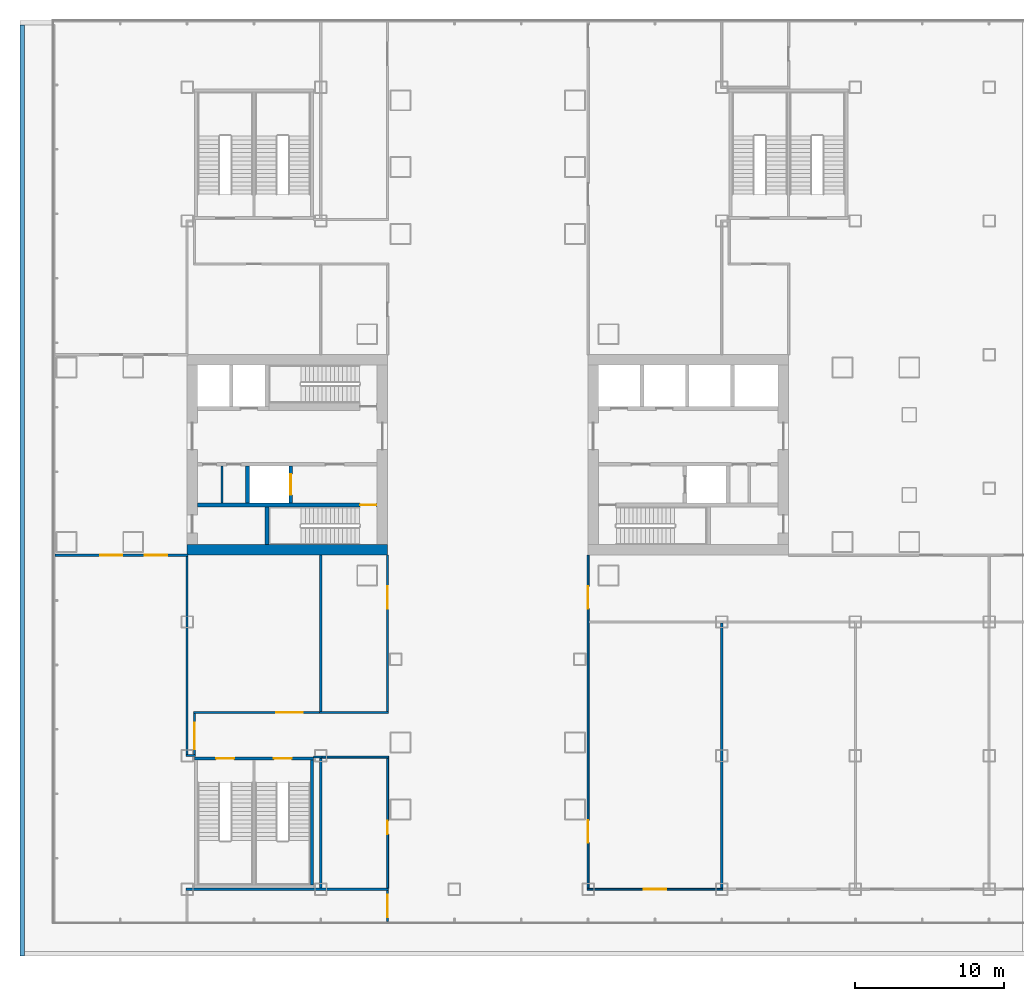
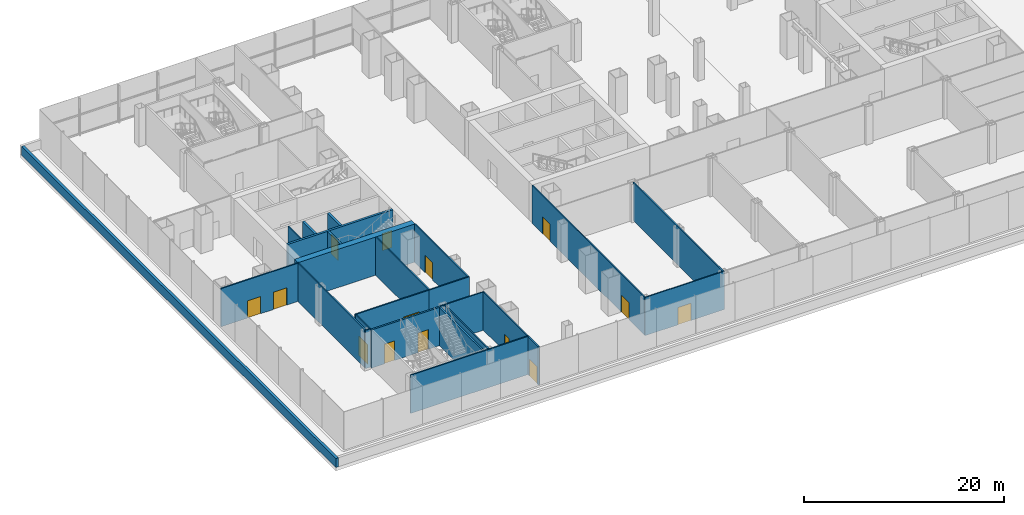
# One storey, part 17 of 30: 26 walls, 14 doors, 14 openings.
"""IFC4 building model written with IfcOpenShell, lengths in metres."""

from ifc_helpers import new_model, si_unit, direction, frame, frame_2d, origin, place, context, subcontext, project, spatial, rectangle, extrude, material, layer, layer_set, type_object, element, fill, save


model = new_model("IFC4")

# Units and contexts
model_context = context("Model", 3, precision=1e-05, world=origin(), true_north=direction((0.0, 1.0)))
body_context = subcontext(model_context, "Body", "Model", "MODEL_VIEW")
ifc_project = project(units=[si_unit("LENGTHUNIT", "METRE"), si_unit("AREAUNIT", "SQUARE_METRE"), si_unit("VOLUMEUNIT", "CUBIC_METRE"), si_unit("PLANEANGLEUNIT", "RADIAN"), si_unit("MASSUNIT", "GRAM", prefix="KILO")], contexts=[model_context])

# Site, building, storey
site_placement = place(None, origin())
site = spatial("IfcSite", under=ifc_project, at=site_placement, CompositionType="ELEMENT")
building_placement = place(site_placement, origin())
building = spatial("IfcBuilding", under=site, at=building_placement, Name="Shamsa Quay Exchange Towers", CompositionType="ELEMENT")
storey_placement = place(building_placement, frame((0.0, 0.0, 23.5)))
storey = spatial("IfcBuildingStorey", under=building, at=storey_placement, Name="L04", CompositionType="ELEMENT", Elevation=23.5)

# Walls
ifc_material_1 = material(Name="Concrete C80/95", Category="concrete")
ifc_layer_1 = layer(ifc_material_1, 0.699951171875)
ifc_layer_set_1 = layer_set([ifc_layer_1], Name="CORE WALL 700 C80/95")
wall_type_1 = type_object("IfcWallType", Name="CORE WALL 700 C80/95", PredefinedType="SHEAR", material=ifc_layer_set_1)
wall_1_placement = place(storey_placement, frame((-40.5, -6.39990234375, 0.0), z_axis=(0.0, 0.0, 1.0), x_axis=(-1.0, 0.0, 0.0)))
element("IfcWall", 1, at=wall_1_placement, inside=storey, type_object=wall_type_1, Name="Core wall T1B-L04-PS", PredefinedType="SHEAR", context=body_context, shape_type="SweptSolid", body=[
    extrude(rectangle(XDim=13.5, YDim=0.699951171875, at=frame_2d((6.75, 0.0))), origin(), (0.0, 0.0, 1.0), 4.64990234375),
])
ifc_material_2 = material(Name="Gypsum board on steel studs, EI 60", Category="steel")
ifc_layer_2 = layer(ifc_material_2, 0.14990234375)
ifc_layer_set_2 = layer_set([ifc_layer_2], Name="FIRE PARTITION 150")
wall_type_2 = type_object("IfcWallType", Name="FIRE PARTITION 150", PredefinedType="PARTITIONING", material=ifc_layer_set_2)
wall_2_placement = place(storey_placement, frame((-51.64990234375, -3.25, 0.0), z_axis=(0.0, 0.0, 1.0), x_axis=(0.0, 1.0, 0.0)))
element("IfcWall", 2, at=wall_2_placement, inside=storey, type_object=wall_type_2, Name="Partition T1B-L04-EC0", PredefinedType="PARTITIONING", context=body_context, shape_type="SweptSolid", body=[
    extrude(rectangle(XDim=2.5, YDim=0.14990234375, at=frame_2d((1.25, 0.0))), origin(), (0.0, 0.0, 1.0), 4.64990234375),
])

# Wall, openings, doors
ifc_material_3 = material(Name="Laminated fire-resisting glass in a metal frame", Category="glass")
ifc_layer_3 = layer(ifc_material_3, 0.125)
ifc_layer_set_3 = layer_set([ifc_layer_3], Name="Glazed partition 125 mm EI 60")
wall_type_3 = type_object("IfcWallType", Name="Glazed partition 125 mm EI 60", PredefinedType="PARTITIONING", material=ifc_layer_set_3)
wall_3_placement = place(storey_placement, frame((-27.0, -29.1875, 0.0), z_axis=(0.0, 0.0, 1.0), x_axis=(0.0, 1.0, 0.0)))
wall_3 = element("IfcWall", 3, at=wall_3_placement, inside=storey, type_object=wall_type_3, Name="Partition PD-L04-W01", PredefinedType="PARTITIONING", context=body_context, shape_type="SweptSolid", body=[
    extrude(rectangle(XDim=22.4375, YDim=0.125, at=frame_2d((11.21875, 0.0))), origin(), (0.0, 0.0, 1.0), 4.64990234375),
])
opening_1_placement = place(wall_3_placement, frame((3.08740234375, 0.0, 0.0)))
opening_1 = element("IfcOpeningElement", 4, at=opening_1_placement, cuts=wall_3, Name="Opening PD-L04-D13", PredefinedType="OPENING", context=body_context, shape_type="SweptSolid", body=[
    extrude(rectangle(XDim=1.5, YDim=2.10009765625, at=frame_2d((0.75, 1.050048828125))), frame((0.0, 0.072509765625, 0.0), z_axis=(0.0, -1.0, 0.0), x_axis=(1.0, 0.0, 0.0)), (0.0, 0.0, 1.0), 0.14501953125),
])
opening_2_placement = place(wall_3_placement, frame((18.83740234375, 0.0, 0.0)))
opening_2 = element("IfcOpeningElement", 5, at=opening_2_placement, cuts=wall_3, Name="Opening PD-L04-D14", PredefinedType="OPENING", context=body_context, shape_type="SweptSolid", body=[
    extrude(rectangle(XDim=1.5, YDim=2.10009765625, at=frame_2d((0.75, 1.050048828125))), frame((0.0, 0.072509765625, 0.0), z_axis=(0.0, -1.0, 0.0), x_axis=(1.0, 0.0, 0.0)), (0.0, 0.0, 1.0), 0.14501953125),
])
ifc_material_4 = material(Name="Timber door leaf in a metal frame", Category="wood")
door_type_1 = type_object("IfcDoorType", Name="Door 1500x2100 FD30S pair", OperationType="NOTDEFINED", PredefinedType="DOOR", material=ifc_material_4)
door_1_placement = place(opening_1_placement, origin())
door_1 = element("IfcDoor", 6, at=door_1_placement, inside=storey, type_object=door_type_1, Name="Door PD-L04-D13", OperationType="DOUBLE_DOOR_SINGLE_SWING", OverallHeight=2.10009765625, OverallWidth=1.5, PredefinedType="DOOR", context=body_context, shape_type="SweptSolid", body=[
    extrude(rectangle(XDim=1.5, YDim=2.10009765625, at=frame_2d((0.75, 1.050048828125))), frame((0.0, 0.02490234375, 0.0), z_axis=(0.0, -1.0, 0.0), x_axis=(1.0, 0.0, 0.0)), (0.0, 0.0, 1.0), 0.050048828125),
])
fill(opening_1, door_1)
door_2_placement = place(opening_2_placement, origin())
door_2 = element("IfcDoor", 7, at=door_2_placement, inside=storey, type_object=door_type_1, Name="Door PD-L04-D14", OperationType="DOUBLE_DOOR_SINGLE_SWING", OverallHeight=2.10009765625, OverallWidth=1.5, PredefinedType="DOOR", context=body_context, shape_type="SweptSolid", body=[
    extrude(rectangle(XDim=1.5, YDim=2.10009765625, at=frame_2d((0.75, 1.050048828125))), frame((0.0, 0.02490234375, 0.0), z_axis=(0.0, -1.0, 0.0), x_axis=(1.0, 0.0, 0.0)), (0.0, 0.0, 1.0), 0.050048828125),
])
fill(opening_2, door_2)

# Wall, opening, door
wall_4_placement = place(storey_placement, frame((-40.5, -29.175048828125, 0.0), z_axis=(0.0, 0.0, 1.0), x_axis=(0.0, 1.0, 0.0)))
wall_4 = element("IfcWall", 8, at=wall_4_placement, inside=storey, type_object=wall_type_3, Name="Partition PD-L04-W06", PredefinedType="PARTITIONING", context=body_context, shape_type="SweptSolid", body=[
    extrude(rectangle(XDim=8.762939453125, YDim=0.125, at=frame_2d((4.38134765625, 0.0))), origin(), (0.0, 0.0, 1.0), 4.64990234375),
])
opening_3_placement = place(wall_4_placement, frame((3.625244140625, 0.0, 0.0)))
opening_3 = element("IfcOpeningElement", 9, at=opening_3_placement, cuts=wall_4, Name="Opening PD-L04-D08", PredefinedType="OPENING", context=body_context, shape_type="SweptSolid", body=[
    extrude(rectangle(XDim=0.89990234375, YDim=2.10009765625, at=frame_2d((0.449951171875, 1.050048828125))), frame((0.0, 0.072509765625, 0.0), z_axis=(0.0, -1.0, 0.0), x_axis=(1.0, 0.0, 0.0)), (0.0, 0.0, 1.0), 0.14501953125),
])
door_type_2 = type_object("IfcDoorType", Name="Door 900x2100 FD30S", OperationType="NOTDEFINED", PredefinedType="DOOR", material=ifc_material_4)
door_3_placement = place(opening_3_placement, origin())
door_3 = element("IfcDoor", 10, at=door_3_placement, inside=storey, type_object=door_type_2, Name="Door PD-L04-D08", OperationType="SINGLE_SWING_LEFT", OverallHeight=2.10009765625, OverallWidth=0.89990234375, PredefinedType="DOOR", context=body_context, shape_type="SweptSolid", body=[
    extrude(rectangle(XDim=0.89990234375, YDim=2.10009765625, at=frame_2d((0.449951171875, 1.050048828125))), frame((0.0, 0.02490234375, 0.0), z_axis=(0.0, -1.0, 0.0), x_axis=(1.0, 0.0, 0.0)), (0.0, 0.0, 1.0), 0.050048828125),
])
fill(opening_3, door_3)

wall_5_placement = place(storey_placement, frame((-17.925048828125, -29.25, 0.0), z_axis=(0.0, 0.0, 1.0), x_axis=(-1.0, 0.0, 0.0)))
wall_5 = element("IfcWall", 11, at=wall_5_placement, inside=storey, type_object=wall_type_3, Name="Partition PD-L04-W25", PredefinedType="PARTITIONING", context=body_context, shape_type="SweptSolid", body=[
    extrude(rectangle(XDim=9.137451171875, YDim=0.125, at=frame_2d((4.56884765625, 0.0))), origin(), (0.0, 0.0, 1.0), 4.64990234375),
])
opening_4_placement = place(wall_5_placement, frame((3.824951171875, 0.0, 0.0)))
opening_4 = element("IfcOpeningElement", 12, at=opening_4_placement, cuts=wall_5, Name="Opening PD-L04-D17", PredefinedType="OPENING", context=body_context, shape_type="SweptSolid", body=[
    extrude(rectangle(XDim=1.5, YDim=2.10009765625, at=frame_2d((0.75, 1.050048828125))), frame((0.0, 0.072509765625, 0.0), z_axis=(0.0, -1.0, 0.0), x_axis=(1.0, 0.0, 0.0)), (0.0, 0.0, 1.0), 0.14501953125),
])
door_4_placement = place(opening_4_placement, origin())
door_4 = element("IfcDoor", 13, at=door_4_placement, inside=storey, type_object=door_type_1, Name="Door PD-L04-D17", OperationType="DOUBLE_DOOR_SINGLE_SWING", OverallHeight=2.10009765625, OverallWidth=1.5, PredefinedType="DOOR", context=body_context, shape_type="SweptSolid", body=[
    extrude(rectangle(XDim=1.5, YDim=2.10009765625, at=frame_2d((0.75, 1.050048828125))), frame((0.0, 0.02490234375, 0.0), z_axis=(0.0, -1.0, 0.0), x_axis=(1.0, 0.0, 0.0)), (0.0, 0.0, 1.0), 0.050048828125),
])
fill(opening_4, door_4)

# Wall
wall_6_placement = place(storey_placement, frame((-40.4375, -20.349609375, 0.0), z_axis=(0.0, 0.0, 1.0), x_axis=(-1.0, 0.0, 0.0)))
element("IfcWall", 14, at=wall_6_placement, inside=storey, type_object=wall_type_3, Name="Partition PD-L04-W46", PredefinedType="PARTITIONING", context=body_context, shape_type="SweptSolid", body=[
    extrude(rectangle(XDim=4.637451171875, YDim=0.125, at=frame_2d((2.31884765625, 0.0))), origin(), (0.0, 0.0, 1.0), 4.64990234375),
])

# Wall, opening, door
ifc_material_5 = material(Name="Gypsum board partition on metal studs")
ifc_layer_4 = layer(ifc_material_5, 0.14990234375)
ifc_layer_set_4 = layer_set([ifc_layer_4], Name="Partition 150 mm EI 60")
wall_type_4 = type_object("IfcWallType", Name="Partition 150 mm EI 60", PredefinedType="PARTITIONING", material=ifc_layer_set_4)
wall_7_placement = place(storey_placement, frame((-40.5, -31.405029296875, 0.0), z_axis=(0.0, 0.0, 1.0), x_axis=(0.0, 1.0, 0.0)))
wall_7 = element("IfcWall", 15, at=wall_7_placement, inside=storey, type_object=wall_type_4, Name="Partition PD-L04-W03", PredefinedType="PARTITIONING", context=body_context, shape_type="SweptSolid", body=[
    extrude(rectangle(XDim=2.080078125, YDim=0.14990234375, at=frame_2d((1.0400390625, 0.0))), origin(), (0.0, 0.0, 1.0), 4.64990234375),
])
opening_5_placement = place(wall_7_placement, frame((0.280029296875, 0.0, 0.0)))
opening_5 = element("IfcOpeningElement", 16, at=opening_5_placement, cuts=wall_7, Name="Opening PD-L04-D07", PredefinedType="OPENING", context=body_context, shape_type="SweptSolid", body=[
    extrude(rectangle(XDim=1.5, YDim=2.10009765625, at=frame_2d((0.75, 1.050048828125))), frame((0.0, 0.0849609375, 0.0), z_axis=(0.0, -1.0, 0.0), x_axis=(1.0, 0.0, 0.0)), (0.0, 0.0, 1.0), 0.169921875),
])
door_5_placement = place(opening_5_placement, origin())
door_5 = element("IfcDoor", 17, at=door_5_placement, inside=storey, type_object=door_type_1, Name="Door PD-L04-D07", OperationType="DOUBLE_DOOR_SINGLE_SWING", OverallHeight=2.10009765625, OverallWidth=1.5, PredefinedType="DOOR", context=body_context, shape_type="SweptSolid", body=[
    extrude(rectangle(XDim=1.5, YDim=2.10009765625, at=frame_2d((0.75, 1.050048828125))), frame((0.0, 0.02490234375, 0.0), z_axis=(0.0, -1.0, 0.0), x_axis=(1.0, 0.0, 0.0)), (0.0, 0.0, 1.0), 0.050048828125),
])
fill(opening_5, door_5)

wall_8_placement = place(storey_placement, frame((-40.5, -17.274658203125, 0.0), z_axis=(0.0, 0.0, 1.0), x_axis=(0.0, 1.0, 0.0)))
wall_8 = element("IfcWall", 18, at=wall_8_placement, inside=storey, type_object=wall_type_4, Name="Partition PD-L04-W04", PredefinedType="PARTITIONING", context=body_context, shape_type="SweptSolid", body=[
    extrude(rectangle(XDim=10.524658203125, YDim=0.14990234375, at=frame_2d((5.26220703125, 0.0))), origin(), (0.0, 0.0, 1.0), 4.64990234375),
])
opening_6_placement = place(wall_8_placement, frame((6.924560546875, 0.0, 0.0)))
opening_6 = element("IfcOpeningElement", 19, at=opening_6_placement, cuts=wall_8, Name="Opening PD-L04-D09", PredefinedType="OPENING", context=body_context, shape_type="SweptSolid", body=[
    extrude(rectangle(XDim=1.5, YDim=2.10009765625, at=frame_2d((0.75, 1.050048828125))), frame((0.0, 0.0849609375, 0.0), z_axis=(0.0, -1.0, 0.0), x_axis=(1.0, 0.0, 0.0)), (0.0, 0.0, 1.0), 0.169921875),
])
door_6_placement = place(opening_6_placement, origin())
door_6 = element("IfcDoor", 20, at=door_6_placement, inside=storey, type_object=door_type_1, Name="Door PD-L04-D09", OperationType="DOUBLE_DOOR_SINGLE_SWING", OverallHeight=2.10009765625, OverallWidth=1.5, PredefinedType="DOOR", context=body_context, shape_type="SweptSolid", body=[
    extrude(rectangle(XDim=1.5, YDim=2.10009765625, at=frame_2d((0.75, 1.050048828125))), frame((0.0, 0.02490234375, 0.0), z_axis=(0.0, -1.0, 0.0), x_axis=(1.0, 0.0, 0.0)), (0.0, 0.0, 1.0), 0.050048828125),
])
fill(opening_6, door_6)

# Wall, openings, doors
wall_9_placement = place(storey_placement, frame((-62.905029296875, -6.75, 0.0)))
wall_9 = element("IfcWall", 21, at=wall_9_placement, inside=storey, type_object=wall_type_4, Name="Partition PD-L04-W28", PredefinedType="PARTITIONING", context=body_context, shape_type="SweptSolid", body=[
    extrude(rectangle(XDim=8.97998046875, YDim=0.14990234375, at=frame_2d((4.489990234375, 0.0))), origin(), (0.0, 0.0, 1.0), 4.64990234375),
])
opening_7_placement = place(wall_9_placement, frame((3.054931640625, 0.0, 0.0)))
opening_7 = element("IfcOpeningElement", 22, at=opening_7_placement, cuts=wall_9, Name="Opening PD-L04-D01", PredefinedType="OPENING", context=body_context, shape_type="SweptSolid", body=[
    extrude(rectangle(XDim=1.5, YDim=2.10009765625, at=frame_2d((0.75, 1.050048828125))), frame((0.0, 0.0849609375, 0.0), z_axis=(0.0, -1.0, 0.0), x_axis=(1.0, 0.0, 0.0)), (0.0, 0.0, 1.0), 0.169921875),
])
opening_8_placement = place(wall_9_placement, frame((6.054931640625, 0.0, 0.0)))
opening_8 = element("IfcOpeningElement", 23, at=opening_8_placement, cuts=wall_9, Name="Opening PD-L04-D02", PredefinedType="OPENING", context=body_context, shape_type="SweptSolid", body=[
    extrude(rectangle(XDim=1.5, YDim=2.10009765625, at=frame_2d((0.75, 1.050048828125))), frame((0.0, 0.0849609375, 0.0), z_axis=(0.0, -1.0, 0.0), x_axis=(1.0, 0.0, 0.0)), (0.0, 0.0, 1.0), 0.169921875),
])
door_7_placement = place(opening_7_placement, origin())
door_7 = element("IfcDoor", 24, at=door_7_placement, inside=storey, type_object=door_type_1, Name="Door PD-L04-D01", OperationType="DOUBLE_DOOR_SINGLE_SWING", OverallHeight=2.10009765625, OverallWidth=1.5, PredefinedType="DOOR", context=body_context, shape_type="SweptSolid", body=[
    extrude(rectangle(XDim=1.5, YDim=2.10009765625, at=frame_2d((0.75, 1.050048828125))), frame((0.0, 0.02490234375, 0.0), z_axis=(0.0, -1.0, 0.0), x_axis=(1.0, 0.0, 0.0)), (0.0, 0.0, 1.0), 0.050048828125),
])
fill(opening_7, door_7)
door_8_placement = place(opening_8_placement, origin())
door_8 = element("IfcDoor", 25, at=door_8_placement, inside=storey, type_object=door_type_1, Name="Door PD-L04-D02", OperationType="DOUBLE_DOOR_SINGLE_SWING", OverallHeight=2.10009765625, OverallWidth=1.5, PredefinedType="DOOR", context=body_context, shape_type="SweptSolid", body=[
    extrude(rectangle(XDim=1.5, YDim=2.10009765625, at=frame_2d((0.75, 1.050048828125))), frame((0.0, 0.02490234375, 0.0), z_axis=(0.0, -1.0, 0.0), x_axis=(1.0, 0.0, 0.0)), (0.0, 0.0, 1.0), 0.050048828125),
])
fill(opening_8, door_8)

# Wall
wall_10_placement = place(storey_placement, frame((-45.5, -20.349609375, 0.0)))
element("IfcWall", 26, at=wall_10_placement, inside=storey, type_object=wall_type_4, Name="Partition PD-L04-W41", PredefinedType="PARTITIONING", context=body_context, shape_type="SweptSolid", body=[
    extrude(rectangle(XDim=0.574951171875, YDim=0.14990234375, at=frame_2d((0.28759765625, 0.0))), origin(), (0.0, 0.0, 1.0), 4.64990234375),
])

# Wall, opening, door
wall_11_placement = place(storey_placement, frame((-53.5, -17.424560546875, 0.0), z_axis=(0.0, 0.0, 1.0), x_axis=(0.0, -1.0, 0.0)))
wall_11 = element("IfcWall", 27, at=wall_11_placement, inside=storey, type_object=wall_type_4, Name="Partition PD-L04-W42", PredefinedType="PARTITIONING", context=body_context, shape_type="SweptSolid", body=[
    extrude(rectangle(XDim=2.75048828125, YDim=0.14990234375, at=frame_2d((1.375244140625, 0.0))), origin(), (0.0, 0.0, 1.0), 4.64990234375),
])
opening_9_placement = place(wall_11_placement, frame((0.59521484375, 0.0, 0.0)))
opening_9 = element("IfcOpeningElement", 28, at=opening_9_placement, cuts=wall_11, Name="Opening PD-L04-D05", PredefinedType="OPENING", context=body_context, shape_type="SweptSolid", body=[
    extrude(rectangle(XDim=1.800048828125, YDim=2.39990234375, at=frame_2d((0.89990234375, 1.199951171875))), frame((0.0, 0.0849609375, 0.0), z_axis=(0.0, -1.0, 0.0), x_axis=(1.0, 0.0, 0.0)), (0.0, 0.0, 1.0), 0.169921875),
])
door_type_3 = type_object("IfcDoorType", Name="Door 1800x2400 FD30S pair", OperationType="NOTDEFINED", PredefinedType="DOOR", material=ifc_material_4)
door_9_placement = place(opening_9_placement, origin())
door_9 = element("IfcDoor", 29, at=door_9_placement, inside=storey, type_object=door_type_3, Name="Door PD-L04-D05", OperationType="DOUBLE_DOOR_SINGLE_SWING", OverallHeight=2.39990234375, OverallWidth=1.800048828125, PredefinedType="DOOR", context=body_context, shape_type="SweptSolid", body=[
    extrude(rectangle(XDim=1.800048828125, YDim=2.39990234375, at=frame_2d((0.89990234375, 1.199951171875))), frame((0.0, 0.02490234375, 0.0), z_axis=(0.0, -1.0, 0.0), x_axis=(1.0, 0.0, 0.0)), (0.0, 0.0, 1.0), 0.050048828125),
])
fill(opening_9, door_9)

wall_12_placement = place(storey_placement, frame((-44.925048828125, -17.349609375, 0.0), z_axis=(0.0, 0.0, 1.0), x_axis=(-1.0, 0.0, 0.0)))
wall_12 = element("IfcWall", 30, at=wall_12_placement, inside=storey, type_object=wall_type_4, Name="Partition PD-L04-W44", PredefinedType="PARTITIONING", context=body_context, shape_type="SweptSolid", body=[
    extrude(rectangle(XDim=8.64990234375, YDim=0.14990234375, at=frame_2d((4.324951171875, 0.0))), origin(), (0.0, 0.0, 1.0), 4.64990234375),
])
opening_10_placement = place(wall_12_placement, frame((1.27490234375, 0.0, 0.0)))
opening_10 = element("IfcOpeningElement", 31, at=opening_10_placement, cuts=wall_12, Name="Opening PD-L04-D06", PredefinedType="OPENING", context=body_context, shape_type="SweptSolid", body=[
    extrude(rectangle(XDim=1.800048828125, YDim=2.39990234375, at=frame_2d((0.89990234375, 1.199951171875))), frame((0.0, 0.0849609375, 0.0), z_axis=(0.0, -1.0, 0.0), x_axis=(1.0, 0.0, 0.0)), (0.0, 0.0, 1.0), 0.169921875),
])
door_10_placement = place(opening_10_placement, origin())
door_10 = element("IfcDoor", 32, at=door_10_placement, inside=storey, type_object=door_type_3, Name="Door PD-L04-D06", OperationType="DOUBLE_DOOR_SINGLE_SWING", OverallHeight=2.39990234375, OverallWidth=1.800048828125, PredefinedType="DOOR", context=body_context, shape_type="SweptSolid", body=[
    extrude(rectangle(XDim=1.800048828125, YDim=2.39990234375, at=frame_2d((0.89990234375, 1.199951171875))), frame((0.0, 0.02490234375, 0.0), z_axis=(0.0, -1.0, 0.0), x_axis=(1.0, 0.0, 0.0)), (0.0, 0.0, 1.0), 0.050048828125),
])
fill(opening_10, door_10)

# Walls
wall_13_placement = place(storey_placement, frame((-45.074951171875, -17.349609375, 0.0)))
element("IfcWall", 33, at=wall_13_placement, inside=storey, type_object=wall_type_4, Name="Partition PD-L04-W45", PredefinedType="PARTITIONING", context=body_context, shape_type="SweptSolid", body=[
    extrude(rectangle(XDim=4.64990234375, YDim=0.14990234375, at=frame_2d((2.324951171875, 0.0))), origin(), (0.0, 0.0, 1.0), 4.64990234375),
])
wall_14_placement = place(storey_placement, frame((-45.0, -29.175048828125, 0.0), z_axis=(0.0, 0.0, 1.0), x_axis=(0.0, 1.0, 0.0)))
element("IfcWall", 34, at=wall_14_placement, inside=storey, type_object=wall_type_4, Name="Partition PD-L04-W50", PredefinedType="PARTITIONING", context=body_context, shape_type="SweptSolid", body=[
    extrude(rectangle(XDim=8.75048828125, YDim=0.14990234375, at=frame_2d((4.375244140625, 0.0))), origin(), (0.0, 0.0, 1.0), 4.64990234375),
])
wall_15_placement = place(storey_placement, frame((-45.0, -17.274658203125, 0.0), z_axis=(0.0, 0.0, 1.0), x_axis=(0.0, 1.0, 0.0)))
element("IfcWall", 35, at=wall_15_placement, inside=storey, type_object=wall_type_4, Name="Partition PD-L04-W51", PredefinedType="PARTITIONING", context=body_context, shape_type="SweptSolid", body=[
    extrude(rectangle(XDim=10.524658203125, YDim=0.14990234375, at=frame_2d((5.26220703125, 0.0))), origin(), (0.0, 0.0, 1.0), 4.64990234375),
])
wall_16_placement = place(storey_placement, frame((-54.0, -20.175048828125, 0.0), z_axis=(0.0, 0.0, 1.0), x_axis=(0.0, 1.0, 0.0)))
element("IfcWall", 36, at=wall_16_placement, inside=storey, type_object=wall_type_4, Name="Partition PD-L04-W56", PredefinedType="PARTITIONING", context=body_context, shape_type="SweptSolid", body=[
    extrude(rectangle(XDim=13.35009765625, YDim=0.14990234375, at=frame_2d((6.675048828125, 0.0))), origin(), (0.0, 0.0, 1.0), 4.64990234375),
])
wall_17_placement = place(storey_placement, frame((-53.425048828125, -20.25, 0.0), z_axis=(0.0, 0.0, 1.0), x_axis=(-1.0, 0.0, 0.0)))
element("IfcWall", 37, at=wall_17_placement, inside=storey, type_object=wall_type_4, Name="Partition PD-L04-W67", PredefinedType="PARTITIONING", context=body_context, shape_type="SweptSolid", body=[
    extrude(rectangle(XDim=0.64990234375, YDim=0.14990234375, at=frame_2d((0.324951171875, 0.0))), origin(), (0.0, 0.0, 1.0), 4.64990234375),
])
wall_18_placement = place(storey_placement, frame((-54.074951171875, -29.25, 0.0)))
element("IfcWall", 38, at=wall_18_placement, inside=storey, type_object=wall_type_4, Name="Partition PD-L04-W68", PredefinedType="PARTITIONING", context=body_context, shape_type="SweptSolid", body=[
    extrude(rectangle(XDim=13.64990234375, YDim=0.14990234375, at=frame_2d((6.824951171875, 0.0))), origin(), (0.0, 0.0, 1.0), 4.64990234375),
])
wall_19_placement = place(storey_placement, frame((-18.0, -29.175048828125, 0.0), z_axis=(0.0, 0.0, 1.0), x_axis=(0.0, 1.0, 0.0)))
element("IfcWall", 39, at=wall_19_placement, inside=storey, type_object=wall_type_4, Name="Partition PD-L04-W77", PredefinedType="PARTITIONING", context=body_context, shape_type="SweptSolid", body=[
    extrude(rectangle(XDim=17.85009765625, YDim=0.14990234375, at=frame_2d((8.925048828125, 0.0))), origin(), (0.0, 0.0, 1.0), 4.64990234375),
])
ifc_material_6 = material(Name="Reinforced concrete C30/37", Category="concrete")
ifc_layer_5 = layer(ifc_material_6, 0.300048828125)
ifc_layer_set_5 = layer_set([ifc_layer_5], Name="ROOF PARAPET 300 C30/37")
wall_type_5 = type_object("IfcWallType", Name="ROOF PARAPET 300 C30/37", PredefinedType="PARAPET", material=ifc_layer_set_5)
wall_20_placement = place(storey_placement, frame((-65.10009765625, 28.949951171875, 0.0), z_axis=(0.0, 0.0, 1.0), x_axis=(0.0, -1.0, 0.0)))
element("IfcWall", 40, at=wall_20_placement, inside=storey, type_object=wall_type_5, Name="Parapet L03 2", PredefinedType="PARAPET", context=body_context, shape_type="SweptSolid", body=[
    extrude(rectangle(XDim=62.699951171875, YDim=0.300048828125, at=frame_2d((31.35009765625, 0.0))), origin(), (0.0, 0.0, 1.0), 1.10009765625),
])

# Wall, opening, door
ifc_material_7 = material(Name="Concrete C50/60", Category="concrete")
ifc_layer_6 = layer(ifc_material_7, 0.25)
ifc_layer_set_6 = layer_set([ifc_layer_6], Name="SHAFT WALL 250 C50/60")
wall_type_6 = type_object("IfcWallType", Name="SHAFT WALL 250 C50/60", PredefinedType="SHEAR", material=ifc_layer_set_6)
wall_21_placement = place(storey_placement, frame((-41.199951171875, -3.375, 0.0), z_axis=(0.0, 0.0, 1.0), x_axis=(-1.0, 0.0, 0.0)))
wall_21 = element("IfcWall", 41, at=wall_21_placement, inside=storey, type_object=wall_type_6, Name="Shaft wall T1B-L04-STL", PredefinedType="SHEAR", context=body_context, shape_type="SweptSolid", body=[
    extrude(rectangle(XDim=12.10009765625, YDim=0.25, at=frame_2d((6.050048828125, 0.0))), origin(), (0.0, 0.0, 1.0), 4.64990234375),
])
opening_11_placement = place(wall_21_placement, frame((0.050048828125, 0.0, 0.0)))
opening_11 = element("IfcOpeningElement", 42, at=opening_11_placement, cuts=wall_21, Name="Opening T1B-L04-SD04", PredefinedType="OPENING", context=body_context, shape_type="SweptSolid", body=[
    extrude(rectangle(XDim=1.10009765625, YDim=2.10009765625, at=frame_2d((0.550048828125, 1.050048828125))), frame((0.0, 0.135009765625, 0.0), z_axis=(0.0, -1.0, 0.0), x_axis=(1.0, 0.0, 0.0)), (0.0, 0.0, 1.0), 0.27001953125),
])
ifc_material_8 = material(Name="Steel, fire rated", Category="steel")
door_type_4 = type_object("IfcDoorType", Name="STAIR DOOR 1100", OperationType="SINGLE_SWING_LEFT", PredefinedType="DOOR", material=ifc_material_8)
door_11_placement = place(opening_11_placement, origin())
door_11 = element("IfcDoor", 43, at=door_11_placement, inside=storey, type_object=door_type_4, Name="T1B-L04-SD04", OperationType="SINGLE_SWING_LEFT", OverallHeight=2.10009765625, OverallWidth=1.10009765625, PredefinedType="DOOR", context=body_context, shape_type="SweptSolid", body=[
    extrude(rectangle(XDim=1.10009765625, YDim=2.10009765625, at=frame_2d((0.550048828125, 1.050048828125))), frame((0.0, 0.02490234375, 0.0), z_axis=(0.0, -1.0, 0.0), x_axis=(1.0, 0.0, 0.0)), (0.0, 0.0, 1.0), 0.050048828125),
])
fill(opening_11, door_11)

# Wall
wall_22_placement = place(storey_placement, frame((-48.625, -6.050048828125, 0.0), z_axis=(0.0, 0.0, 1.0), x_axis=(0.0, 1.0, 0.0)))
element("IfcWall", 44, at=wall_22_placement, inside=storey, type_object=wall_type_6, Name="Shaft wall T1B-L04-STF", PredefinedType="SHEAR", context=body_context, shape_type="SweptSolid", body=[
    extrude(rectangle(XDim=2.550048828125, YDim=0.25, at=frame_2d((1.27490234375, 0.0))), origin(), (0.0, 0.0, 1.0), 4.64990234375),
])

# Wall, opening, door
wall_23_placement = place(storey_placement, frame((-47.02490234375, -3.25, 0.0), z_axis=(0.0, 0.0, 1.0), x_axis=(0.0, 1.0, 0.0)))
wall_23 = element("IfcWall", 45, at=wall_23_placement, inside=storey, type_object=wall_type_6, Name="Shaft wall T1B-L04-FFF", PredefinedType="SHEAR", context=body_context, shape_type="SweptSolid", body=[
    extrude(rectangle(XDim=2.5, YDim=0.25, at=frame_2d((1.25, 0.0))), origin(), (0.0, 0.0, 1.0), 4.64990234375),
])
opening_12_placement = place(wall_23_placement, frame((0.550048828125, 0.0, 0.0)))
opening_12 = element("IfcOpeningElement", 46, at=opening_12_placement, cuts=wall_23, Name="Opening T1B-L04-LDG08", PredefinedType="OPENING", context=body_context, shape_type="SweptSolid", body=[
    extrude(rectangle(XDim=1.39990234375, YDim=2.39990234375, at=frame_2d((0.699951171875, 1.199951171875))), frame((0.0, 0.135009765625, 0.0), z_axis=(0.0, -1.0, 0.0), x_axis=(1.0, 0.0, 0.0)), (0.0, 0.0, 1.0), 0.27001953125),
])
door_type_5 = type_object("IfcDoorType", Name="GOODS LIFT LANDING DOOR 1400", OperationType="SLIDING_TO_LEFT", PredefinedType="DOOR", material=ifc_material_8)
door_12_placement = place(opening_12_placement, origin())
door_12 = element("IfcDoor", 47, at=door_12_placement, inside=storey, type_object=door_type_5, Name="T1B-L04-LDG08", OperationType="SLIDING_TO_LEFT", OverallHeight=2.39990234375, OverallWidth=1.39990234375, PredefinedType="DOOR", context=body_context, shape_type="SweptSolid", body=[
    extrude(rectangle(XDim=1.39990234375, YDim=2.39990234375, at=frame_2d((0.699951171875, 1.199951171875))), frame((0.0, 0.02490234375, 0.0), z_axis=(0.0, -1.0, 0.0), x_axis=(1.0, 0.0, 0.0)), (0.0, 0.0, 1.0), 0.050048828125),
])
fill(opening_12, door_12)

# Wall
wall_24_placement = place(storey_placement, frame((-49.925048828125, -3.25, 0.0), z_axis=(0.0, 0.0, 1.0), x_axis=(0.0, 1.0, 0.0)))
element("IfcWall", 48, at=wall_24_placement, inside=storey, type_object=wall_type_6, Name="Shaft wall T1B-L04-FFB", PredefinedType="SHEAR", context=body_context, shape_type="SweptSolid", body=[
    extrude(rectangle(XDim=2.5, YDim=0.25, at=frame_2d((1.25, 0.0))), origin(), (0.0, 0.0, 1.0), 4.64990234375),
])

# Wall, openings, doors
ifc_layer_7 = layer(ifc_material_7, 0.199951171875)
ifc_layer_set_7 = layer_set([ifc_layer_7], Name="STAIR ENCLOSURE WALL 200 C50/60")
wall_type_7 = type_object("IfcWallType", Name="STAIR ENCLOSURE WALL 200 C50/60", PredefinedType="SHEAR", material=ifc_layer_set_7)
wall_25_placement = place(storey_placement, frame((-45.5, -20.449951171875, 0.0), z_axis=(0.0, 0.0, 1.0), x_axis=(-1.0, 0.0, 0.0)))
wall_25 = element("IfcWall", 49, at=wall_25_placement, inside=storey, type_object=wall_type_7, Name="Stair enclosure wall PS5 inward", PredefinedType="SHEAR", context=body_context, shape_type="SweptSolid", body=[
    extrude(rectangle(XDim=8.0, YDim=0.199951171875, at=frame_2d((4.0, 0.0))), origin(), (0.0, 0.0, 1.0), 4.64990234375),
])
opening_13_placement = place(wall_25_placement, frame((5.33740234375, 0.0, 0.0)))
opening_13 = element("IfcOpeningElement", 50, at=opening_13_placement, cuts=wall_25, Name="Opening PS5A-L04-SD01", PredefinedType="OPENING", context=body_context, shape_type="SweptSolid", body=[
    extrude(rectangle(XDim=1.199951171875, YDim=2.39990234375, at=frame_2d((0.60009765625, 1.199951171875))), frame((0.0, 0.10986328125, 0.0), z_axis=(0.0, -1.0, 0.0), x_axis=(1.0, 0.0, 0.0)), (0.0, 0.0, 1.0), 0.219970703125),
])
opening_14_placement = place(wall_25_placement, frame((1.46240234375, 0.0, 0.0)))
opening_14 = element("IfcOpeningElement", 51, at=opening_14_placement, cuts=wall_25, Name="Opening PS5B-L04-SD01", PredefinedType="OPENING", context=body_context, shape_type="SweptSolid", body=[
    extrude(rectangle(XDim=1.199951171875, YDim=2.39990234375, at=frame_2d((0.60009765625, 1.199951171875))), frame((0.0, 0.10986328125, 0.0), z_axis=(0.0, -1.0, 0.0), x_axis=(1.0, 0.0, 0.0)), (0.0, 0.0, 1.0), 0.219970703125),
])
door_type_6 = type_object("IfcDoorType", Name="PODIUM STAIR DOOR 1200", OperationType="SINGLE_SWING_LEFT", PredefinedType="DOOR", material=ifc_material_8)
door_13_placement = place(opening_13_placement, origin())
door_13 = element("IfcDoor", 52, at=door_13_placement, inside=storey, type_object=door_type_6, Name="PS5A-L04-SD01", OperationType="SINGLE_SWING_LEFT", OverallHeight=2.39990234375, OverallWidth=1.199951171875, PredefinedType="DOOR", context=body_context, shape_type="SweptSolid", body=[
    extrude(rectangle(XDim=1.199951171875, YDim=2.39990234375, at=frame_2d((0.60009765625, 1.199951171875))), frame((0.0, 0.02490234375, 0.0), z_axis=(0.0, -1.0, 0.0), x_axis=(1.0, 0.0, 0.0)), (0.0, 0.0, 1.0), 0.050048828125),
])
fill(opening_13, door_13)
door_14_placement = place(opening_14_placement, origin())
door_14 = element("IfcDoor", 53, at=door_14_placement, inside=storey, type_object=door_type_6, Name="PS5B-L04-SD01", OperationType="SINGLE_SWING_RIGHT", OverallHeight=2.39990234375, OverallWidth=1.199951171875, PredefinedType="DOOR", context=body_context, shape_type="SweptSolid", body=[
    extrude(rectangle(XDim=1.199951171875, YDim=2.39990234375, at=frame_2d((0.60009765625, 1.199951171875))), frame((0.0, 0.02490234375, 0.0), z_axis=(0.0, -1.0, 0.0), x_axis=(1.0, 0.0, 0.0)), (0.0, 0.0, 1.0), 0.050048828125),
])
fill(opening_14, door_14)

# Wall
wall_26_placement = place(storey_placement, frame((-45.60009765625, -28.949951171875, 0.0), z_axis=(0.0, 0.0, 1.0), x_axis=(0.0, 1.0, 0.0)))
element("IfcWall", 54, at=wall_26_placement, inside=storey, type_object=wall_type_7, Name="Stair enclosure wall PS5 east", PredefinedType="SHEAR", context=body_context, shape_type="SweptSolid", body=[
    extrude(rectangle(XDim=8.39990234375, YDim=0.199951171875, at=frame_2d((4.199951171875, 0.0))), origin(), (0.0, 0.0, 1.0), 4.64990234375),
])

save(model, "model.ifc")
